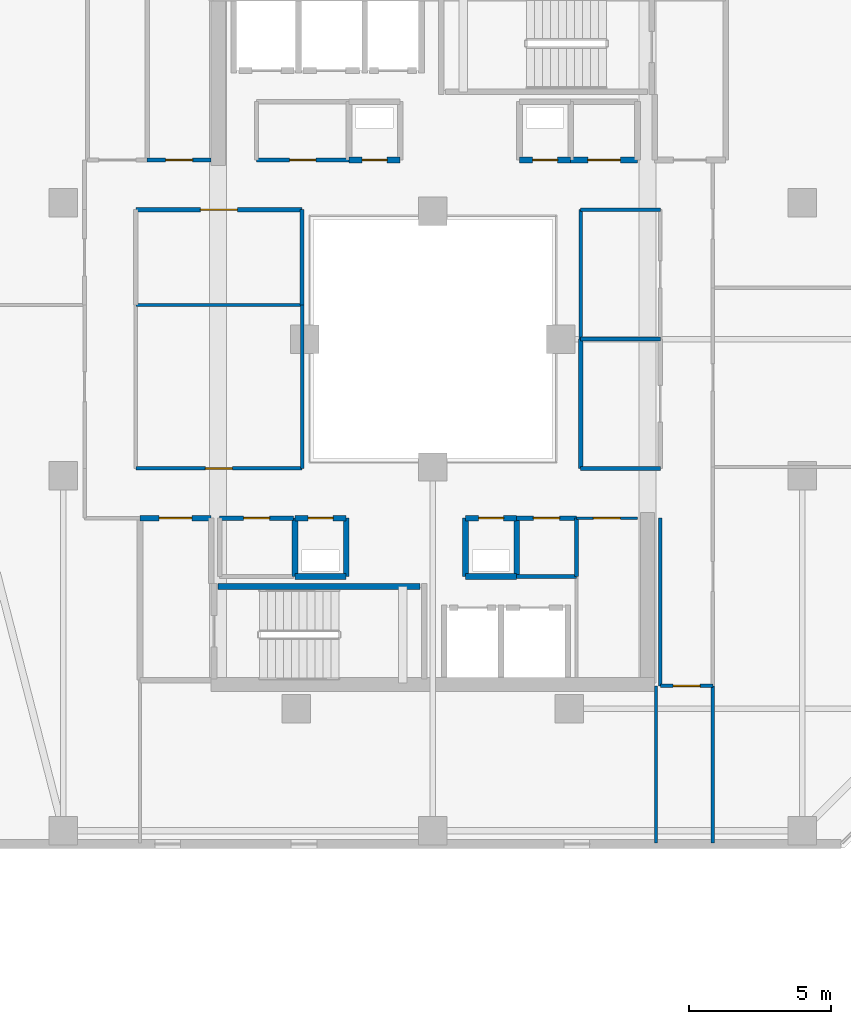
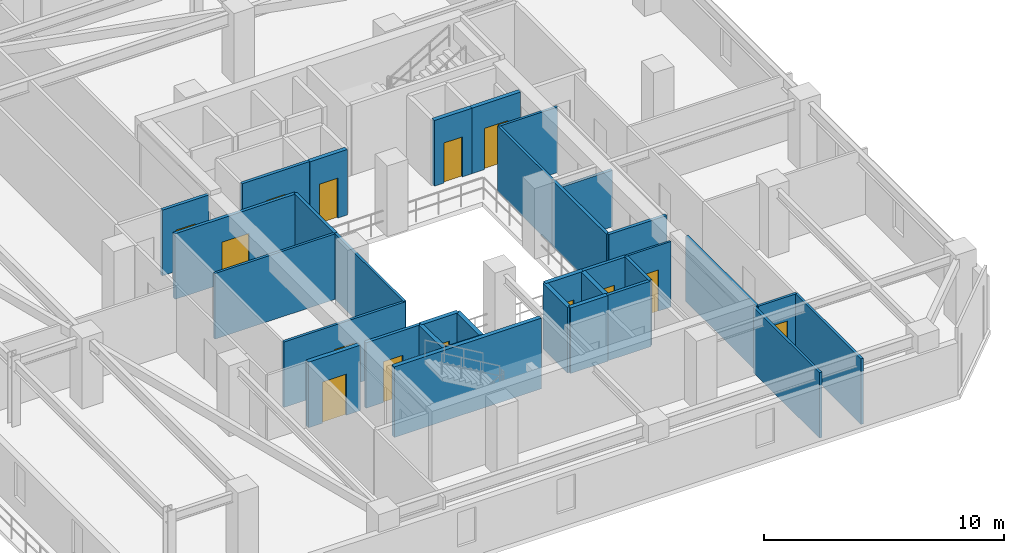
# One storey, part 20 of 33: 34 walls, 14 doors, 14 openings.
"""IFC4 building model written with IfcOpenShell, lengths in metres."""

from ifc_helpers import new_model, si_unit, direction, frame, frame_2d, origin, place, context, subcontext, project, spatial, rectangle, extrude, material, layer, layer_set, type_object, element, fill, save


model = new_model("IFC4")

# Units and contexts
model_context = context("Model", 3, precision=1e-05, world=origin(), true_north=direction((0.0, 1.0)))
body_context = subcontext(model_context, "Body", "Model", "MODEL_VIEW")
ifc_project = project(units=[si_unit("LENGTHUNIT", "METRE"), si_unit("AREAUNIT", "SQUARE_METRE"), si_unit("VOLUMEUNIT", "CUBIC_METRE"), si_unit("PLANEANGLEUNIT", "RADIAN"), si_unit("MASSUNIT", "GRAM", prefix="KILO")], contexts=[model_context])

# Site, building, storey
site_placement = place(None, origin())
site = spatial("IfcSite", under=ifc_project, at=site_placement, CompositionType="ELEMENT")
building_placement = place(site_placement, origin())
building = spatial("IfcBuilding", under=site, at=building_placement, Name="Thornwick Lancets Civic Towers", CompositionType="ELEMENT")
storey_placement = place(building_placement, frame((0.0, 0.0, 210.89990234375)))
storey = spatial("IfcBuildingStorey", under=building, at=storey_placement, Name="L56", CompositionType="ELEMENT", Elevation=210.89990234375)

# Wall, opening, door
ifc_material_1 = material(Name="Concrete blockwork C40/50", Category="masonry")
ifc_layer_1 = layer(ifc_material_1, 0.199951171875, Name="Concrete blockwork C40/50")
ifc_layer_set_1 = layer_set([ifc_layer_1], Name="Concrete blockwork C40/50")
wall_type_1 = type_object("IfcWallType", Name="WALL_COMP_200", PredefinedType="STANDARD", material=ifc_layer_set_1)
wall_1_placement = place(storey_placement, frame((17.699951171875, 20.699951171875, 0.0), z_axis=(0.0, 0.0, 1.0), x_axis=(-1.0, 0.0, 0.0)))
wall_1 = element("IfcWall", 1, at=wall_1_placement, inside=storey, type_object=wall_type_1, Name="L56 Partition L56-A-FFLOB1 E3", PredefinedType="STANDARD", context=body_context, shape_type="SweptSolid", body=[
    extrude(rectangle(XDim=2.5, YDim=0.199951171875, at=frame_2d((1.25, 0.0))), origin(), (0.0, 0.0, 1.0), 3.340087890625),
])
opening_1_placement = place(wall_1_placement, frame((0.675048828125, 0.0, 0.0)))
opening_1 = element("IfcOpeningElement", 2, at=opening_1_placement, cuts=wall_1, Name="Opening D-L56-2479", PredefinedType="OPENING", context=body_context, shape_type="SweptSolid", body=[
    extrude(rectangle(XDim=1.14990234375, YDim=2.10009765625, at=frame_2d((0.574951171875, 1.050048828125))), frame((0.0, 0.10986328125, 0.0), z_axis=(0.0, -1.0, 0.0), x_axis=(1.0, 0.0, 0.0)), (0.0, 0.0, 1.0), 0.219970703125),
])
ifc_material_2 = material(Name="Glazed fire-resisting steel", Category="steel")
door_type_1 = type_object("IfcDoorType", Name="DOOR_LOBBY_FD60", OperationType="NOTDEFINED", PredefinedType="DOOR", material=ifc_material_2)
door_1_placement = place(opening_1_placement, origin())
door_1 = element("IfcDoor", 3, at=door_1_placement, inside=storey, type_object=door_type_1, Name="L56 South Firefighting Lobby 1 Door", OperationType="SINGLE_SWING_RIGHT", OverallHeight=2.10009765625, OverallWidth=1.14990234375, PredefinedType="DOOR", context=body_context, shape_type="SweptSolid", body=[
    extrude(rectangle(XDim=1.14990234375, YDim=2.10009765625, at=frame_2d((0.574951171875, 1.050048828125))), frame((0.0, 0.02490234375, 0.0), z_axis=(0.0, -1.0, 0.0), x_axis=(1.0, 0.0, 0.0)), (0.0, 0.0, 1.0), 0.050048828125),
])
fill(opening_1, door_1)

# Walls
wall_2_placement = place(storey_placement, frame((26.64990234375, 18.64990234375, 0.0), z_axis=(0.0, 0.0, 1.0), x_axis=(1.0, 0.0, 0.0)))
element("IfcWall", 4, at=wall_2_placement, inside=storey, type_object=wall_type_1, Name="L56 Partition L56-A-DUCT1 E1", PredefinedType="STANDARD", context=body_context, shape_type="SweptSolid", body=[
    extrude(rectangle(XDim=1.800048828125, YDim=0.199951171875, at=frame_2d((0.89990234375, 0.0))), origin(), (0.0, 0.0, 1.0), 3.340087890625),
])
wall_3_placement = place(storey_placement, frame((28.449951171875, 18.64990234375, 0.0), z_axis=(0.0, 0.0, 1.0), x_axis=(0.0, 1.0, 0.0)))
element("IfcWall", 5, at=wall_3_placement, inside=storey, type_object=wall_type_1, Name="L56 Partition L56-A-DUCT1 E2", PredefinedType="STANDARD", context=body_context, shape_type="SweptSolid", body=[
    extrude(rectangle(XDim=2.050048828125, YDim=0.199951171875, at=frame_2d((1.02490234375, 0.0))), origin(), (0.0, 0.0, 1.0), 3.340087890625),
])

# Wall, opening, door
wall_4_placement = place(storey_placement, frame((28.449951171875, 20.699951171875, 0.0), z_axis=(0.0, 0.0, 1.0), x_axis=(-1.0, 0.0, 0.0)))
wall_4 = element("IfcWall", 6, at=wall_4_placement, inside=storey, type_object=wall_type_1, Name="L56 Partition L56-A-DUCT1 E3", PredefinedType="STANDARD", context=body_context, shape_type="SweptSolid", body=[
    extrude(rectangle(XDim=1.800048828125, YDim=0.199951171875, at=frame_2d((0.89990234375, 0.0))), origin(), (0.0, 0.0, 1.0), 3.340087890625),
])
opening_2_placement = place(wall_4_placement, frame((0.4599609375, 0.0, 0.0)))
opening_2 = element("IfcOpeningElement", 7, at=opening_2_placement, cuts=wall_4, Name="Opening D-L56-2481", PredefinedType="OPENING", context=body_context, shape_type="SweptSolid", body=[
    extrude(rectangle(XDim=0.8798828125, YDim=2.0400390625, at=frame_2d((0.43994140625, 1.02001953125))), frame((0.0, 0.10986328125, 0.0), z_axis=(0.0, -1.0, 0.0), x_axis=(1.0, 0.0, 0.0)), (0.0, 0.0, 1.0), 0.219970703125),
])
ifc_material_3 = material(Name="Steel riser access doorset", Category="steel")
door_type_2 = type_object("IfcDoorType", Name="DOOR_RISER_850", OperationType="NOTDEFINED", PredefinedType="DOOR", material=ifc_material_3)
door_2_placement = place(opening_2_placement, origin())
door_2 = element("IfcDoor", 8, at=door_2_placement, inside=storey, type_object=door_type_2, Name="L56 South Service Duct 1 Door", OperationType="SINGLE_SWING_RIGHT", OverallHeight=2.0400390625, OverallWidth=0.8798828125, PredefinedType="DOOR", context=body_context, shape_type="SweptSolid", body=[
    extrude(rectangle(XDim=0.8798828125, YDim=2.0400390625, at=frame_2d((0.43994140625, 1.02001953125))), frame((0.0, 0.02490234375, 0.0), z_axis=(0.0, -1.0, 0.0), x_axis=(1.0, 0.0, 0.0)), (0.0, 0.0, 1.0), 0.050048828125),
])
fill(opening_2, door_2)

# Walls
wall_5_placement = place(storey_placement, frame((26.64990234375, 20.699951171875, 0.0), z_axis=(0.0, 0.0, 1.0), x_axis=(0.0, -1.0, 0.0)))
element("IfcWall", 9, at=wall_5_placement, inside=storey, type_object=wall_type_1, Name="L56 Partition L56-A-DUCT1 E4", PredefinedType="STANDARD", context=body_context, shape_type="SweptSolid", body=[
    extrude(rectangle(XDim=2.050048828125, YDim=0.199951171875, at=frame_2d((1.02490234375, 0.0))), origin(), (0.0, 0.0, 1.0), 3.340087890625),
])
wall_6_placement = place(storey_placement, frame((20.64990234375, 18.64990234375, 0.0), z_axis=(0.0, 0.0, 1.0), x_axis=(1.0, 0.0, 0.0)))
element("IfcWall", 10, at=wall_6_placement, inside=storey, type_object=wall_type_1, Name="L56 Partition L56-A-RISER1 E1", PredefinedType="STANDARD", context=body_context, shape_type="SweptSolid", body=[
    extrude(rectangle(XDim=1.800048828125, YDim=0.199951171875, at=frame_2d((0.89990234375, 0.0))), origin(), (0.0, 0.0, 1.0), 3.340087890625),
])
wall_7_placement = place(storey_placement, frame((22.449951171875, 18.64990234375, 0.0), z_axis=(0.0, 0.0, 1.0), x_axis=(0.0, 1.0, 0.0)))
element("IfcWall", 11, at=wall_7_placement, inside=storey, type_object=wall_type_1, Name="L56 Partition L56-A-RISER1 E2", PredefinedType="STANDARD", context=body_context, shape_type="SweptSolid", body=[
    extrude(rectangle(XDim=2.050048828125, YDim=0.199951171875, at=frame_2d((1.02490234375, 0.0))), origin(), (0.0, 0.0, 1.0), 3.340087890625),
])

# Wall, opening, door
wall_8_placement = place(storey_placement, frame((22.449951171875, 20.699951171875, 0.0), z_axis=(0.0, 0.0, 1.0), x_axis=(-1.0, 0.0, 0.0)))
wall_8 = element("IfcWall", 12, at=wall_8_placement, inside=storey, type_object=wall_type_1, Name="L56 Partition L56-A-RISER1 E3", PredefinedType="STANDARD", context=body_context, shape_type="SweptSolid", body=[
    extrude(rectangle(XDim=1.800048828125, YDim=0.199951171875, at=frame_2d((0.89990234375, 0.0))), origin(), (0.0, 0.0, 1.0), 3.340087890625),
])
opening_3_placement = place(wall_8_placement, frame((0.4599609375, 0.0, 0.0)))
opening_3 = element("IfcOpeningElement", 13, at=opening_3_placement, cuts=wall_8, Name="Opening D-L56-2482", PredefinedType="OPENING", context=body_context, shape_type="SweptSolid", body=[
    extrude(rectangle(XDim=0.8798828125, YDim=2.0400390625, at=frame_2d((0.43994140625, 1.02001953125))), frame((0.0, 0.10986328125, 0.0), z_axis=(0.0, -1.0, 0.0), x_axis=(1.0, 0.0, 0.0)), (0.0, 0.0, 1.0), 0.219970703125),
])
door_3_placement = place(opening_3_placement, origin())
door_3 = element("IfcDoor", 14, at=door_3_placement, inside=storey, type_object=door_type_2, Name="L56 South Electrical Riser 1 Door", OperationType="SINGLE_SWING_LEFT", OverallHeight=2.0400390625, OverallWidth=0.8798828125, PredefinedType="DOOR", context=body_context, shape_type="SweptSolid", body=[
    extrude(rectangle(XDim=0.8798828125, YDim=2.0400390625, at=frame_2d((0.43994140625, 1.02001953125))), frame((0.0, 0.02490234375, 0.0), z_axis=(0.0, -1.0, 0.0), x_axis=(1.0, 0.0, 0.0)), (0.0, 0.0, 1.0), 0.050048828125),
])
fill(opening_3, door_3)

# Wall
wall_9_placement = place(storey_placement, frame((20.64990234375, 20.699951171875, 0.0), z_axis=(0.0, 0.0, 1.0), x_axis=(0.0, -1.0, 0.0)))
element("IfcWall", 15, at=wall_9_placement, inside=storey, type_object=wall_type_1, Name="L56 Partition L56-A-RISER1 E4", PredefinedType="STANDARD", context=body_context, shape_type="SweptSolid", body=[
    extrude(rectangle(XDim=2.050048828125, YDim=0.199951171875, at=frame_2d((1.02490234375, 0.0))), origin(), (0.0, 0.0, 1.0), 3.340087890625),
])

# Wall, opening, door
wall_10_placement = place(storey_placement, frame((22.550048828125, 33.300048828125, 0.0), z_axis=(0.0, 0.0, 1.0), x_axis=(1.0, 0.0, 0.0)))
wall_10 = element("IfcWall", 16, at=wall_10_placement, inside=storey, type_object=wall_type_1, Name="L56 Partition L56-A-DUCT2 E1", PredefinedType="STANDARD", context=body_context, shape_type="SweptSolid", body=[
    extrude(rectangle(XDim=1.800048828125, YDim=0.199951171875, at=frame_2d((0.89990234375, 0.0))), origin(), (0.0, 0.0, 1.0), 3.340087890625),
])
opening_4_placement = place(wall_10_placement, frame((0.4599609375, 0.0, 0.0)))
opening_4 = element("IfcOpeningElement", 17, at=opening_4_placement, cuts=wall_10, Name="Opening D-L56-2483", PredefinedType="OPENING", context=body_context, shape_type="SweptSolid", body=[
    extrude(rectangle(XDim=0.8798828125, YDim=2.0400390625, at=frame_2d((0.43994140625, 1.02001953125))), frame((0.0, 0.10986328125, 0.0), z_axis=(0.0, -1.0, 0.0), x_axis=(1.0, 0.0, 0.0)), (0.0, 0.0, 1.0), 0.219970703125),
])
door_4_placement = place(opening_4_placement, origin())
door_4 = element("IfcDoor", 18, at=door_4_placement, inside=storey, type_object=door_type_2, Name="L56 North Service Duct 2 Door", OperationType="SINGLE_SWING_RIGHT", OverallHeight=2.0400390625, OverallWidth=0.8798828125, PredefinedType="DOOR", context=body_context, shape_type="SweptSolid", body=[
    extrude(rectangle(XDim=0.8798828125, YDim=2.0400390625, at=frame_2d((0.43994140625, 1.02001953125))), frame((0.0, 0.02490234375, 0.0), z_axis=(0.0, -1.0, 0.0), x_axis=(1.0, 0.0, 0.0)), (0.0, 0.0, 1.0), 0.050048828125),
])
fill(opening_4, door_4)

wall_11_placement = place(storey_placement, frame((28.550048828125, 33.300048828125, 0.0), z_axis=(0.0, 0.0, 1.0), x_axis=(1.0, 0.0, 0.0)))
wall_11 = element("IfcWall", 19, at=wall_11_placement, inside=storey, type_object=wall_type_1, Name="L56 Partition L56-A-RISER2 E1", PredefinedType="STANDARD", context=body_context, shape_type="SweptSolid", body=[
    extrude(rectangle(XDim=1.800048828125, YDim=0.199951171875, at=frame_2d((0.89990234375, 0.0))), origin(), (0.0, 0.0, 1.0), 3.340087890625),
])
opening_5_placement = place(wall_11_placement, frame((0.4599609375, 0.0, 0.0)))
opening_5 = element("IfcOpeningElement", 20, at=opening_5_placement, cuts=wall_11, Name="Opening D-L56-2484", PredefinedType="OPENING", context=body_context, shape_type="SweptSolid", body=[
    extrude(rectangle(XDim=0.8798828125, YDim=2.0400390625, at=frame_2d((0.43994140625, 1.02001953125))), frame((0.0, 0.10986328125, 0.0), z_axis=(0.0, -1.0, 0.0), x_axis=(1.0, 0.0, 0.0)), (0.0, 0.0, 1.0), 0.219970703125),
])
door_5_placement = place(opening_5_placement, origin())
door_5 = element("IfcDoor", 21, at=door_5_placement, inside=storey, type_object=door_type_2, Name="L56 North Service Riser 2 Door", OperationType="SINGLE_SWING_LEFT", OverallHeight=2.0400390625, OverallWidth=0.8798828125, PredefinedType="DOOR", context=body_context, shape_type="SweptSolid", body=[
    extrude(rectangle(XDim=0.8798828125, YDim=2.0400390625, at=frame_2d((0.43994140625, 1.02001953125))), frame((0.0, 0.02490234375, 0.0), z_axis=(0.0, -1.0, 0.0), x_axis=(1.0, 0.0, 0.0)), (0.0, 0.0, 1.0), 0.050048828125),
])
fill(opening_5, door_5)

wall_12_placement = place(storey_placement, frame((32.699951171875, 33.300048828125, 0.0), z_axis=(0.0, 0.0, 1.0), x_axis=(-1.0, 0.0, 0.0)))
wall_12 = element("IfcWall", 22, at=wall_12_placement, inside=storey, type_object=wall_type_1, Name="L56 Partition L56-A-STR E2", PredefinedType="STANDARD", context=body_context, shape_type="SweptSolid", body=[
    extrude(rectangle(XDim=2.349853515625, YDim=0.199951171875, at=frame_2d((1.1748046875, 0.0))), origin(), (0.0, 0.0, 1.0), 3.340087890625),
])
opening_6_placement = place(wall_12_placement, frame((0.60009765625, 0.0, 0.0)))
opening_6 = element("IfcOpeningElement", 23, at=opening_6_placement, cuts=wall_12, Name="Opening D-L56-2489", PredefinedType="OPENING", context=body_context, shape_type="SweptSolid", body=[
    extrude(rectangle(XDim=1.14990234375, YDim=2.10009765625, at=frame_2d((0.574951171875, 1.050048828125))), frame((0.0, 0.10986328125, 0.0), z_axis=(0.0, -1.0, 0.0), x_axis=(1.0, 0.0, 0.0)), (0.0, 0.0, 1.0), 0.219970703125),
])
door_6_placement = place(opening_6_placement, origin())
door_6 = element("IfcDoor", 24, at=door_6_placement, inside=storey, type_object=door_type_1, Name="L56 Tower A Core Equipment Store Door", OperationType="SINGLE_SWING_RIGHT", OverallHeight=2.10009765625, OverallWidth=1.14990234375, PredefinedType="DOOR", context=body_context, shape_type="SweptSolid", body=[
    extrude(rectangle(XDim=1.14990234375, YDim=2.10009765625, at=frame_2d((0.574951171875, 1.050048828125))), frame((0.0, 0.02490234375, 0.0), z_axis=(0.0, -1.0, 0.0), x_axis=(1.0, 0.0, 0.0)), (0.0, 0.0, 1.0), 0.050048828125),
])
fill(opening_6, door_6)

ifc_material_4 = material(Name="Lightweight cellular office partition")
ifc_layer_2 = layer(ifc_material_4, 0.10009765625, Name="Lightweight cellular office partition")
ifc_layer_set_2 = layer_set([ifc_layer_2], Name="Lightweight cellular office partition")
wall_type_2 = type_object("IfcWallType", Name="WALL_PART_100", PredefinedType="PARTITIONING", material=ifc_layer_set_2)
wall_13_placement = place(storey_placement, frame((30.550048828125, 20.699951171875, 0.0), z_axis=(0.0, 0.0, 1.0), x_axis=(1.0, 0.0, 0.0)))
wall_13 = element("IfcWall", 25, at=wall_13_placement, inside=storey, type_object=wall_type_2, Name="L56 Partition L56-A-CLN E5", PredefinedType="PARTITIONING", context=body_context, shape_type="SweptSolid", body=[
    extrude(rectangle(XDim=2.14990234375, YDim=0.10009765625, at=frame_2d((1.074951171875, 0.0))), origin(), (0.0, 0.0, 1.0), 3.340087890625),
])
opening_7_placement = place(wall_13_placement, frame((0.60009765625, 0.0, 0.0)))
opening_7 = element("IfcOpeningElement", 26, at=opening_7_placement, cuts=wall_13, Name="Opening D-L56-2487", PredefinedType="OPENING", context=body_context, shape_type="SweptSolid", body=[
    extrude(rectangle(XDim=0.949951171875, YDim=2.10009765625, at=frame_2d((0.47509765625, 1.050048828125))), frame((0.0, 0.06005859375, 0.0), z_axis=(0.0, -1.0, 0.0), x_axis=(1.0, 0.0, 0.0)), (0.0, 0.0, 1.0), 0.1201171875),
])
ifc_material_5 = material(Name="European oak acoustic doorset")
door_type_3 = type_object("IfcDoorType", Name="DOOR_OFFICE_950", OperationType="NOTDEFINED", PredefinedType="DOOR", material=ifc_material_5)
door_7_placement = place(opening_7_placement, origin())
door_7 = element("IfcDoor", 27, at=door_7_placement, inside=storey, type_object=door_type_3, Name="L56 Tower A Cleaners Store Door", OperationType="SINGLE_SWING_RIGHT", OverallHeight=2.10009765625, OverallWidth=0.949951171875, PredefinedType="DOOR", context=body_context, shape_type="SweptSolid", body=[
    extrude(rectangle(XDim=0.949951171875, YDim=2.10009765625, at=frame_2d((0.47509765625, 1.050048828125))), frame((0.0, 0.02490234375, 0.0), z_axis=(0.0, -1.0, 0.0), x_axis=(1.0, 0.0, 0.0)), (0.0, 0.0, 1.0), 0.050048828125),
])
fill(opening_7, door_7)

# Wall
ifc_material_6 = material(Name="Acoustic gypsum board partition")
ifc_layer_3 = layer(ifc_material_6, 0.1201171875, Name="Acoustic gypsum board partition")
ifc_layer_set_3 = layer_set([ifc_layer_3], Name="Acoustic gypsum board partition")
wall_type_3 = type_object("IfcWallType", Name="WALL_PART_120", PredefinedType="PARTITIONING", material=ifc_layer_set_3)
wall_14_placement = place(storey_placement, frame((33.5, 20.699951171875, 0.0), z_axis=(0.0, 0.0, 1.0), x_axis=(0.0, -1.0, 0.0)))
element("IfcWall", 28, at=wall_14_placement, inside=storey, type_object=wall_type_3, Name="L56 Partition L56-A-RECLAIM-L E2", PredefinedType="PARTITIONING", context=body_context, shape_type="SweptSolid", body=[
    extrude(rectangle(XDim=5.89990234375, YDim=0.1201171875, at=frame_2d((2.949951171875, 0.0))), origin(), (0.0, 0.0, 1.0), 3.340087890625),
])

# Wall, opening, door
wall_15_placement = place(storey_placement, frame((33.5, 14.800048828125, 0.0), z_axis=(0.0, 0.0, 1.0), x_axis=(1.0, 0.0, 0.0)))
wall_15 = element("IfcWall", 29, at=wall_15_placement, inside=storey, type_object=wall_type_3, Name="L56 Partition L56-A-RECLAIM-L E3", PredefinedType="PARTITIONING", context=body_context, shape_type="SweptSolid", body=[
    extrude(rectangle(XDim=1.85009765625, YDim=0.1201171875, at=frame_2d((0.925048828125, 0.0))), origin(), (0.0, 0.0, 1.0), 3.340087890625),
])
opening_8_placement = place(wall_15_placement, frame((0.449951171875, 0.0, 0.0)))
opening_8 = element("IfcOpeningElement", 30, at=opening_8_placement, cuts=wall_15, Name="Opening D-L56-2501", PredefinedType="OPENING", context=body_context, shape_type="SweptSolid", body=[
    extrude(rectangle(XDim=0.949951171875, YDim=2.10009765625, at=frame_2d((0.47509765625, 1.050048828125))), frame((0.0, 0.070068359375, 0.0), z_axis=(0.0, -1.0, 0.0), x_axis=(1.0, 0.0, 0.0)), (0.0, 0.0, 1.0), 0.14013671875),
])
door_8_placement = place(opening_8_placement, origin())
door_8 = element("IfcDoor", 31, at=door_8_placement, inside=storey, type_object=door_type_3, Name="L56 Tower A Parliamentary Drafting Library Door", OperationType="SINGLE_SWING_RIGHT", OverallHeight=2.10009765625, OverallWidth=0.949951171875, PredefinedType="DOOR", context=body_context, shape_type="SweptSolid", body=[
    extrude(rectangle(XDim=0.949951171875, YDim=2.10009765625, at=frame_2d((0.47509765625, 1.050048828125))), frame((0.0, 0.02490234375, 0.0), z_axis=(0.0, -1.0, 0.0), x_axis=(1.0, 0.0, 0.0)), (0.0, 0.0, 1.0), 0.050048828125),
])
fill(opening_8, door_8)

# Walls
for number, where, z_axis, x_axis, name in (
    (32, (35.35009765625, 14.800048828125, 0.0), (0.0, 0.0, 1.0), (0.0, -1.0, 0.0), "L56 Partition L56-A-RECLAIM-L E4"),
    (33, (33.35009765625, 9.280029296875, 0.0), (0.0, 0.0, 1.0), (0.0, 1.0, 0.0), "L56 Partition L56-A-RECLAIM-L E6"),
):
    element("IfcWall", number, at=place(storey_placement, frame(where, z_axis=z_axis, x_axis=x_axis)), inside=storey, type_object=wall_type_3, Name=name, PredefinedType="PARTITIONING", context=body_context, shape_type="SweptSolid", body=[
        extrude(rectangle(XDim=5.52001953125, YDim=0.1201171875, at=frame_2d((2.760009765625, 0.0))), origin(), (0.0, 0.0, 1.0), 3.340087890625),
    ])
wall_16_placement = place(storey_placement, frame((15.050048828125, 28.199951171875, 0.0), z_axis=(0.0, 0.0, 1.0), x_axis=(1.0, 0.0, 0.0)))
element("IfcWall", 34, at=wall_16_placement, inside=storey, type_object=wall_type_3, Name="L56 Partition L56-A-W3 E2", PredefinedType="PARTITIONING", context=body_context, shape_type="SweptSolid", body=[
    extrude(rectangle(XDim=5.849853515625, YDim=0.1201171875, at=frame_2d((2.9248046875, 0.0))), origin(), (0.0, 0.0, 1.0), 3.340087890625),
])
wall_17_placement = place(storey_placement, frame((20.89990234375, 28.199951171875, 0.0), z_axis=(0.0, 0.0, 1.0), x_axis=(0.0, -1.0, 0.0)))
element("IfcWall", 35, at=wall_17_placement, inside=storey, type_object=wall_type_3, Name="L56 Partition L56-A-W3 E3", PredefinedType="PARTITIONING", context=body_context, shape_type="SweptSolid", body=[
    extrude(rectangle(XDim=5.75, YDim=0.1201171875, at=frame_2d((2.875, 0.0))), origin(), (0.0, 0.0, 1.0), 3.340087890625),
])

# Wall, opening, door
wall_18_placement = place(storey_placement, frame((20.89990234375, 22.449951171875, 0.0), z_axis=(0.0, 0.0, 1.0), x_axis=(-1.0, 0.0, 0.0)))
wall_18 = element("IfcWall", 36, at=wall_18_placement, inside=storey, type_object=wall_type_3, Name="L56 Partition L56-A-W3 E4", PredefinedType="PARTITIONING", context=body_context, shape_type="SweptSolid", body=[
    extrude(rectangle(XDim=5.849853515625, YDim=0.1201171875, at=frame_2d((2.9248046875, 0.0))), origin(), (0.0, 0.0, 1.0), 3.340087890625),
])
opening_9_placement = place(wall_18_placement, frame((2.449951171875, 0.0, 0.0)))
opening_9 = element("IfcOpeningElement", 37, at=opening_9_placement, cuts=wall_18, Name="Opening D-L56-2506", PredefinedType="OPENING", context=body_context, shape_type="SweptSolid", body=[
    extrude(rectangle(XDim=0.949951171875, YDim=2.10009765625, at=frame_2d((0.47509765625, 1.050048828125))), frame((0.0, 0.070068359375, 0.0), z_axis=(0.0, -1.0, 0.0), x_axis=(1.0, 0.0, 0.0)), (0.0, 0.0, 1.0), 0.14013671875),
])
door_9_placement = place(opening_9_placement, origin())
door_9 = element("IfcDoor", 38, at=door_9_placement, inside=storey, type_object=door_type_3, Name="L56 Tower A Staff Tea Pantry and Lounge Door", OperationType="SINGLE_SWING_LEFT", OverallHeight=2.10009765625, OverallWidth=0.949951171875, PredefinedType="DOOR", context=body_context, shape_type="SweptSolid", body=[
    extrude(rectangle(XDim=0.949951171875, YDim=2.10009765625, at=frame_2d((0.47509765625, 1.050048828125))), frame((0.0, 0.02490234375, 0.0), z_axis=(0.0, -1.0, 0.0), x_axis=(1.0, 0.0, 0.0)), (0.0, 0.0, 1.0), 0.050048828125),
])
fill(opening_9, door_9)

# Walls
wall_19_placement = place(storey_placement, frame((30.699951171875, 27.0, 0.0), z_axis=(0.0, 0.0, 1.0), x_axis=(0.0, 1.0, 0.0)))
element("IfcWall", 39, at=wall_19_placement, inside=storey, type_object=wall_type_3, Name="L56 Partition L56-A-E-ATR-2 E1", PredefinedType="PARTITIONING", context=body_context, shape_type="SweptSolid", body=[
    extrude(rectangle(XDim=4.550048828125, YDim=0.1201171875, at=frame_2d((2.27490234375, 0.0))), origin(), (0.0, 0.0, 1.0), 3.340087890625),
])
wall_20_placement = place(storey_placement, frame((30.699951171875, 31.550048828125, 0.0), z_axis=(0.0, 0.0, 1.0), x_axis=(1.0, 0.0, 0.0)))
element("IfcWall", 40, at=wall_20_placement, inside=storey, type_object=wall_type_3, Name="L56 Partition L56-A-E-ATR-2 E2", PredefinedType="PARTITIONING", context=body_context, shape_type="SweptSolid", body=[
    extrude(rectangle(XDim=2.800048828125, YDim=0.1201171875, at=frame_2d((1.39990234375, 0.0))), origin(), (0.0, 0.0, 1.0), 3.340087890625),
])

# Wall, opening, door
ifc_material_7 = material(Name="Twin-stud acoustic gypsum board")
ifc_layer_4 = layer(ifc_material_7, 0.14990234375, Name="Twin-stud acoustic gypsum board")
ifc_layer_set_4 = layer_set([ifc_layer_4], Name="Twin-stud acoustic gypsum board")
wall_type_4 = type_object("IfcWallType", Name="WALL_PART_150", PredefinedType="PARTITIONING", material=ifc_layer_set_4)
wall_21_placement = place(storey_placement, frame((20.60009765625, 20.699951171875, 0.0), z_axis=(0.0, 0.0, 1.0), x_axis=(-1.0, 0.0, 0.0)))
wall_21 = element("IfcWall", 41, at=wall_21_placement, inside=storey, type_object=wall_type_4, Name="L56 Partition L56-A-AWC E3", PredefinedType="PARTITIONING", context=body_context, shape_type="SweptSolid", body=[
    extrude(rectangle(XDim=2.60009765625, YDim=0.14990234375, at=frame_2d((1.300048828125, 0.0))), origin(), (0.0, 0.0, 1.0), 3.340087890625),
])
opening_10_placement = place(wall_21_placement, frame((0.840087890625, 0.0, 0.0)))
opening_10 = element("IfcOpeningElement", 42, at=opening_10_placement, cuts=wall_21, Name="Opening D-L56-2485", PredefinedType="OPENING", context=body_context, shape_type="SweptSolid", body=[
    extrude(rectangle(XDim=0.919921875, YDim=2.080078125, at=frame_2d((0.4599609375, 1.0400390625))), frame((0.0, 0.0849609375, 0.0), z_axis=(0.0, -1.0, 0.0), x_axis=(1.0, 0.0, 0.0)), (0.0, 0.0, 1.0), 0.169921875),
])
ifc_material_8 = material(Name="Moisture-resistant oak doorset")
door_type_4 = type_object("IfcDoorType", Name="DOOR_WC_900", OperationType="NOTDEFINED", PredefinedType="DOOR", material=ifc_material_8)
door_10_placement = place(opening_10_placement, origin())
door_10 = element("IfcDoor", 43, at=door_10_placement, inside=storey, type_object=door_type_4, Name="L56 Tower A Accessible WC Door", OperationType="SINGLE_SWING_RIGHT", OverallHeight=2.080078125, OverallWidth=0.919921875, PredefinedType="DOOR", context=body_context, shape_type="SweptSolid", body=[
    extrude(rectangle(XDim=0.919921875, YDim=2.080078125, at=frame_2d((0.4599609375, 1.0400390625))), frame((0.0, 0.02490234375, 0.0), z_axis=(0.0, -1.0, 0.0), x_axis=(1.0, 0.0, 0.0)), (0.0, 0.0, 1.0), 0.050048828125),
])
fill(opening_10, door_10)

# Walls
wall_22_placement = place(storey_placement, frame((30.550048828125, 20.699951171875, 0.0), z_axis=(0.0, 0.0, 1.0), x_axis=(0.0, -1.0, 0.0)))
element("IfcWall", 44, at=wall_22_placement, inside=storey, type_object=wall_type_4, Name="L56 Partition L56-A-MWC E1", PredefinedType="PARTITIONING", context=body_context, shape_type="SweptSolid", body=[
    extrude(rectangle(XDim=2.050048828125, YDim=0.14990234375, at=frame_2d((1.02490234375, 0.0))), origin(), (0.0, 0.0, 1.0), 3.340087890625),
])
wall_23_placement = place(storey_placement, frame((30.550048828125, 18.64990234375, 0.0), z_axis=(0.0, 0.0, 1.0), x_axis=(-1.0, 0.0, 0.0)))
element("IfcWall", 45, at=wall_23_placement, inside=storey, type_object=wall_type_4, Name="L56 Partition L56-A-MWC E2", PredefinedType="PARTITIONING", context=body_context, shape_type="SweptSolid", body=[
    extrude(rectangle(XDim=2.10009765625, YDim=0.14990234375, at=frame_2d((1.050048828125, 0.0))), origin(), (0.0, 0.0, 1.0), 3.340087890625),
])

# Wall, opening, door
wall_24_placement = place(storey_placement, frame((28.449951171875, 20.699951171875, 0.0), z_axis=(0.0, 0.0, 1.0), x_axis=(1.0, 0.0, 0.0)))
wall_24 = element("IfcWall", 46, at=wall_24_placement, inside=storey, type_object=wall_type_4, Name="L56 Partition L56-A-MWC E4", PredefinedType="PARTITIONING", context=body_context, shape_type="SweptSolid", body=[
    extrude(rectangle(XDim=2.10009765625, YDim=0.14990234375, at=frame_2d((1.050048828125, 0.0))), origin(), (0.0, 0.0, 1.0), 3.340087890625),
])
opening_11_placement = place(wall_24_placement, frame((0.590087890625, 0.0, 0.0)))
opening_11 = element("IfcOpeningElement", 47, at=opening_11_placement, cuts=wall_24, Name="Opening D-L56-2486", PredefinedType="OPENING", context=body_context, shape_type="SweptSolid", body=[
    extrude(rectangle(XDim=0.919921875, YDim=2.080078125, at=frame_2d((0.4599609375, 1.0400390625))), frame((0.0, 0.0849609375, 0.0), z_axis=(0.0, -1.0, 0.0), x_axis=(1.0, 0.0, 0.0)), (0.0, 0.0, 1.0), 0.169921875),
])
door_11_placement = place(opening_11_placement, origin())
door_11 = element("IfcDoor", 48, at=door_11_placement, inside=storey, type_object=door_type_4, Name="L56 Tower A Male WC Door", OperationType="SINGLE_SWING_LEFT", OverallHeight=2.080078125, OverallWidth=0.919921875, PredefinedType="DOOR", context=body_context, shape_type="SweptSolid", body=[
    extrude(rectangle(XDim=0.919921875, YDim=2.080078125, at=frame_2d((0.4599609375, 1.0400390625))), frame((0.0, 0.02490234375, 0.0), z_axis=(0.0, -1.0, 0.0), x_axis=(1.0, 0.0, 0.0)), (0.0, 0.0, 1.0), 0.050048828125),
])
fill(opening_11, door_11)

wall_25_placement = place(storey_placement, frame((22.550048828125, 33.300048828125, 0.0), z_axis=(0.0, 0.0, 1.0), x_axis=(-1.0, 0.0, 0.0)))
wall_25 = element("IfcWall", 49, at=wall_25_placement, inside=storey, type_object=wall_type_4, Name="L56 Partition L56-A-FWC E4", PredefinedType="PARTITIONING", context=body_context, shape_type="SweptSolid", body=[
    extrude(rectangle(XDim=3.25, YDim=0.14990234375, at=frame_2d((1.625, 0.0))), origin(), (0.0, 0.0, 1.0), 3.340087890625),
])
opening_12_placement = place(wall_25_placement, frame((1.1650390625, 0.0, 0.0)))
opening_12 = element("IfcOpeningElement", 50, at=opening_12_placement, cuts=wall_25, Name="Opening D-L56-2488", PredefinedType="OPENING", context=body_context, shape_type="SweptSolid", body=[
    extrude(rectangle(XDim=0.919921875, YDim=2.080078125, at=frame_2d((0.4599609375, 1.0400390625))), frame((0.0, 0.0849609375, 0.0), z_axis=(0.0, -1.0, 0.0), x_axis=(1.0, 0.0, 0.0)), (0.0, 0.0, 1.0), 0.169921875),
])
door_12_placement = place(opening_12_placement, origin())
door_12 = element("IfcDoor", 51, at=door_12_placement, inside=storey, type_object=door_type_4, Name="L56 Tower A Female WC Door", OperationType="SINGLE_SWING_LEFT", OverallHeight=2.080078125, OverallWidth=0.919921875, PredefinedType="DOOR", context=body_context, shape_type="SweptSolid", body=[
    extrude(rectangle(XDim=0.919921875, YDim=2.080078125, at=frame_2d((0.4599609375, 1.0400390625))), frame((0.0, 0.02490234375, 0.0), z_axis=(0.0, -1.0, 0.0), x_axis=(1.0, 0.0, 0.0)), (0.0, 0.0, 1.0), 0.050048828125),
])
fill(opening_12, door_12)

wall_26_placement = place(storey_placement, frame((17.699951171875, 33.300048828125, 0.0), z_axis=(0.0, 0.0, 1.0), x_axis=(-1.0, 0.0, 0.0)))
wall_26 = element("IfcWall", 52, at=wall_26_placement, inside=storey, type_object=wall_type_4, Name="L56 Partition L56-A-RECLAIM-M2 E4", PredefinedType="PARTITIONING", context=body_context, shape_type="SweptSolid", body=[
    extrude(rectangle(XDim=2.25, YDim=0.14990234375, at=frame_2d((1.125, 0.0))), origin(), (0.0, 0.0, 1.0), 3.340087890625),
])
opening_13_placement = place(wall_26_placement, frame((0.64990234375, 0.0, 0.0)))
opening_13 = element("IfcOpeningElement", 53, at=opening_13_placement, cuts=wall_26, Name="Opening D-L56-2503", PredefinedType="OPENING", context=body_context, shape_type="SweptSolid", body=[
    extrude(rectangle(XDim=0.949951171875, YDim=2.10009765625, at=frame_2d((0.47509765625, 1.050048828125))), frame((0.0, 0.0849609375, 0.0), z_axis=(0.0, -1.0, 0.0), x_axis=(1.0, 0.0, 0.0)), (0.0, 0.0, 1.0), 0.169921875),
])
door_13_placement = place(opening_13_placement, origin())
door_13 = element("IfcDoor", 54, at=door_13_placement, inside=storey, type_object=door_type_3, Name="L56 Tower A Executive Records Archive Door", OperationType="SINGLE_SWING_RIGHT", OverallHeight=2.10009765625, OverallWidth=0.949951171875, PredefinedType="DOOR", context=body_context, shape_type="SweptSolid", body=[
    extrude(rectangle(XDim=0.949951171875, YDim=2.10009765625, at=frame_2d((0.47509765625, 1.050048828125))), frame((0.0, 0.02490234375, 0.0), z_axis=(0.0, -1.0, 0.0), x_axis=(1.0, 0.0, 0.0)), (0.0, 0.0, 1.0), 0.050048828125),
])
fill(opening_13, door_13)

wall_27_placement = place(storey_placement, frame((15.050048828125, 31.550048828125, 0.0), z_axis=(0.0, 0.0, 1.0), x_axis=(1.0, 0.0, 0.0)))
wall_27 = element("IfcWall", 55, at=wall_27_placement, inside=storey, type_object=wall_type_4, Name="L56 Partition L56-A-W4 E2", PredefinedType="PARTITIONING", context=body_context, shape_type="SweptSolid", body=[
    extrude(rectangle(XDim=5.849853515625, YDim=0.14990234375, at=frame_2d((2.9248046875, 0.0))), origin(), (0.0, 0.0, 1.0), 3.340087890625),
])
opening_14_placement = place(wall_27_placement, frame((2.27490234375, 0.0, 0.0)))
opening_14 = element("IfcOpeningElement", 56, at=opening_14_placement, cuts=wall_27, Name="Opening D-L56-2507", PredefinedType="OPENING", context=body_context, shape_type="SweptSolid", body=[
    extrude(rectangle(XDim=1.300048828125, YDim=2.1201171875, at=frame_2d((0.64990234375, 1.06005859375))), frame((0.0, 0.0849609375, 0.0), z_axis=(0.0, -1.0, 0.0), x_axis=(1.0, 0.0, 0.0)), (0.0, 0.0, 1.0), 0.169921875),
])
ifc_material_9 = material(Name="Acoustic oak leaf-and-a-half doorset")
door_type_5 = type_object("IfcDoorType", Name="DOOR_MEET_1300", OperationType="DOUBLE_DOOR_SINGLE_SWING", PredefinedType="DOOR", material=ifc_material_9)
door_14_placement = place(opening_14_placement, origin())
door_14 = element("IfcDoor", 57, at=door_14_placement, inside=storey, type_object=door_type_5, Name="L56 Tower A West Briefing Room W4 Door", OperationType="DOUBLE_DOOR_SINGLE_SWING", OverallHeight=2.1201171875, OverallWidth=1.300048828125, PredefinedType="DOOR", context=body_context, shape_type="SweptSolid", body=[
    extrude(rectangle(XDim=1.300048828125, YDim=2.1201171875, at=frame_2d((0.64990234375, 1.06005859375))), frame((0.0, 0.02490234375, 0.0), z_axis=(0.0, -1.0, 0.0), x_axis=(1.0, 0.0, 0.0)), (0.0, 0.0, 1.0), 0.050048828125),
])
fill(opening_14, door_14)

# Walls
wall_28_placement = place(storey_placement, frame((20.89990234375, 31.550048828125, 0.0), z_axis=(0.0, 0.0, 1.0), x_axis=(0.0, -1.0, 0.0)))
element("IfcWall", 58, at=wall_28_placement, inside=storey, type_object=wall_type_4, Name="L56 Partition L56-A-W4 E3", PredefinedType="PARTITIONING", context=body_context, shape_type="SweptSolid", body=[
    extrude(rectangle(XDim=3.35009765625, YDim=0.14990234375, at=frame_2d((1.675048828125, 0.0))), origin(), (0.0, 0.0, 1.0), 3.340087890625),
])
wall_29_placement = place(storey_placement, frame((30.699951171875, 22.449951171875, 0.0), z_axis=(0.0, 0.0, 1.0), x_axis=(0.0, 1.0, 0.0)))
element("IfcWall", 59, at=wall_29_placement, inside=storey, type_object=wall_type_4, Name="L56 Partition L56-A-E-ATR-1 E1", PredefinedType="PARTITIONING", context=body_context, shape_type="SweptSolid", body=[
    extrude(rectangle(XDim=4.550048828125, YDim=0.14990234375, at=frame_2d((2.27490234375, 0.0))), origin(), (0.0, 0.0, 1.0), 3.340087890625),
])
wall_30_placement = place(storey_placement, frame((30.699951171875, 27.0, 0.0), z_axis=(0.0, 0.0, 1.0), x_axis=(1.0, 0.0, 0.0)))
element("IfcWall", 60, at=wall_30_placement, inside=storey, type_object=wall_type_4, Name="L56 Partition L56-A-E-ATR-1 E2", PredefinedType="PARTITIONING", context=body_context, shape_type="SweptSolid", body=[
    extrude(rectangle(XDim=2.800048828125, YDim=0.14990234375, at=frame_2d((1.39990234375, 0.0))), origin(), (0.0, 0.0, 1.0), 2.8779296875),
])
wall_31_placement = place(storey_placement, frame((33.5, 22.449951171875, 0.0), z_axis=(0.0, 0.0, 1.0), x_axis=(-1.0, 0.0, 0.0)))
element("IfcWall", 61, at=wall_31_placement, inside=storey, type_object=wall_type_4, Name="L56 Partition L56-A-E-ATR-1 E4", PredefinedType="PARTITIONING", context=body_context, shape_type="SweptSolid", body=[
    extrude(rectangle(XDim=2.800048828125, YDim=0.14990234375, at=frame_2d((1.39990234375, 0.0))), origin(), (0.0, 0.0, 1.0), 3.340087890625),
])
ifc_material_10 = material(Name="Concrete C40/50", Category="concrete")
ifc_layer_5 = layer(ifc_material_10, 0.199951171875, Name="Concrete C40/50")
ifc_layer_set_5 = layer_set([ifc_layer_5], Name="Concrete C40/50")
wall_type_5 = type_object("IfcWallType", Name="WALL_SHAFT_200", PredefinedType="SHEAR", material=ifc_layer_set_5)
wall_32_placement = place(storey_placement, frame((25.050048828125, 18.297119140625, 0.0), z_axis=(0.0, 0.0, 1.0), x_axis=(-1.0, 0.0, 0.0)))
element("IfcWall", 62, at=wall_32_placement, inside=storey, type_object=wall_type_5, Name="L56 ST-A1 Fire Stair Core Wall RIGHT", PredefinedType="SHEAR", context=body_context, shape_type="SweptSolid", body=[
    extrude(rectangle(XDim=7.10009765625, YDim=0.199951171875, at=frame_2d((3.550048828125, 0.0))), origin(), (0.0, 0.0, 1.0), 3.60009765625),
])

save(model, "model.ifc")
